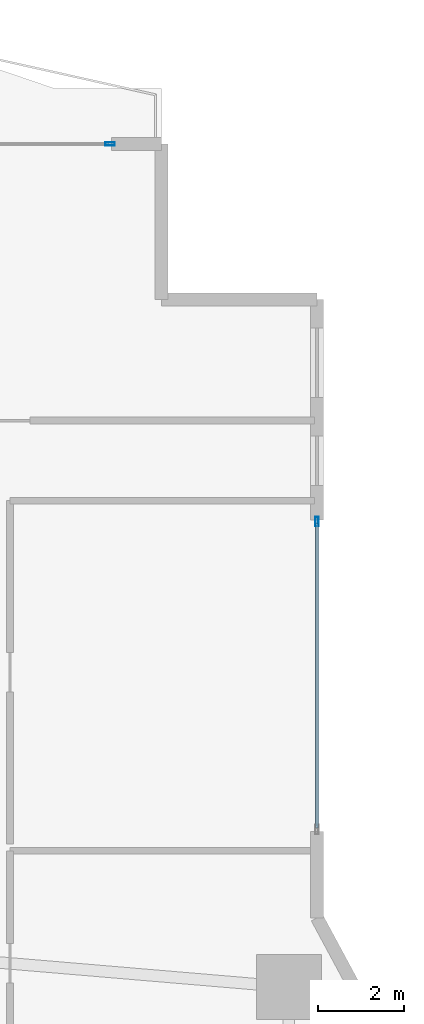
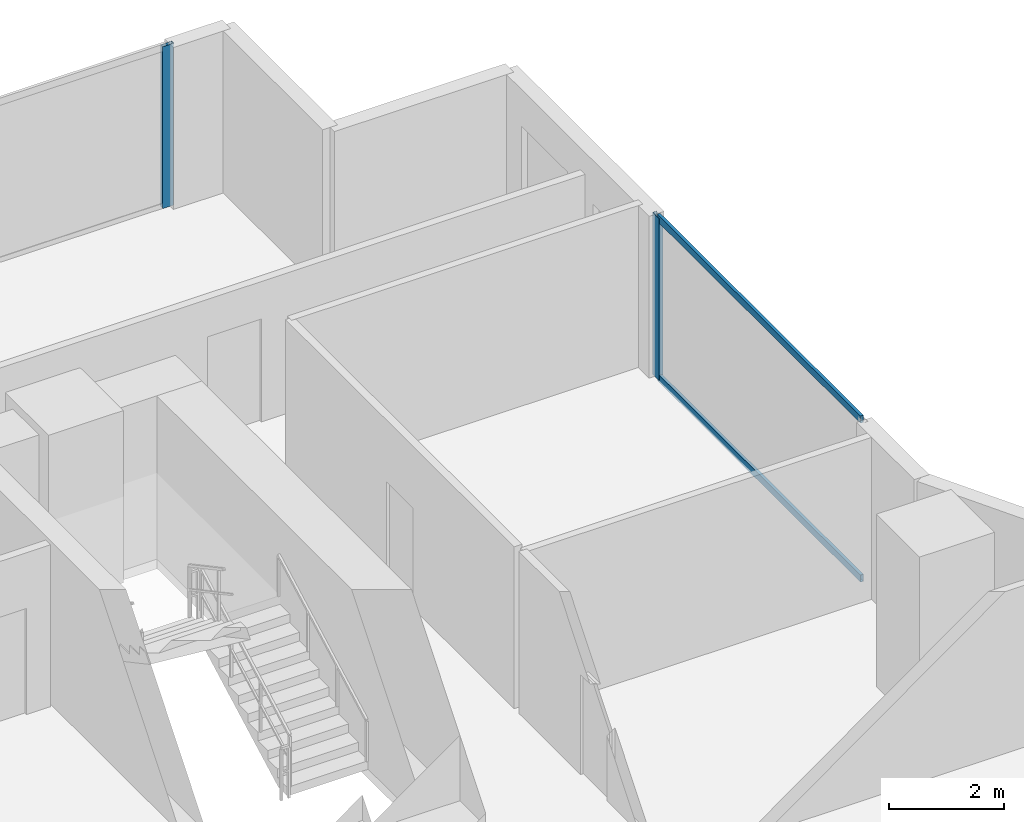
# One storey, part 17 of 28: 4 members, 2 elements without a shape of their own.
"""IFC4 building model written with IfcOpenShell, lengths in metres."""

from ifc_helpers import new_model, si_unit, direction, frame, origin, origin_2d, place, context, subcontext, project, spatial, hollow_rectangle, extrude, material, layer, layer_set, material_profile, profile_set, type_object, element, aggregate, save


model = new_model("IFC4")

# Units and contexts
model_context = context("Model", 3, precision=1e-05, world=origin(), true_north=direction((0.0, 1.0)))
body_context = subcontext(model_context, "Body", "Model", "MODEL_VIEW")
ifc_project = project(units=[si_unit("LENGTHUNIT", "METRE"), si_unit("AREAUNIT", "SQUARE_METRE"), si_unit("VOLUMEUNIT", "CUBIC_METRE"), si_unit("PLANEANGLEUNIT", "RADIAN"), si_unit("MASSUNIT", "GRAM", prefix="KILO")], contexts=[model_context])

# Site, building, storey
site_placement = place(None, origin())
site = spatial("IfcSite", under=ifc_project, at=site_placement, CompositionType="ELEMENT")
building_placement = place(site_placement, origin())
building = spatial("IfcBuilding", under=site, at=building_placement, Name="Zuhayl Quay Hotel", CompositionType="ELEMENT")
storey_placement = place(building_placement, frame((0.0, 0.0, 71.39990234375)))
storey = spatial("IfcBuildingStorey", under=building, at=storey_placement, Name="L17", CompositionType="ELEMENT", Elevation=71.39990234375)

# Curtain wall, member
ifc_material_1 = material(Name="Anodised Aluminium 6063-T6", Category="aluminium")
ifc_layer = layer(ifc_material_1, 0.18994140625, Name="Anodised Aluminium 6063-T6", Category="aluminium")
ifc_layer_set = layer_set([ifc_layer], Name="Anodised Aluminium 6063-T6")
curtain_wall_type = type_object("IfcCurtainWallType", Name="CW_SYS_Z1", PredefinedType="USERDEFINED", material=ifc_layer_set)
curtain_wall_1_placement = place(storey_placement, origin())
curtain_wall_1 = element("IfcCurtainWall", 1, at=curtain_wall_1_placement, inside=storey, type_object=curtain_wall_type, Name="L17 Curtain Wall ENV_L17_N_CW4", ObjectType="UNITISED CURTAIN WALL", PredefinedType="USERDEFINED")
ifc_material_2 = material(Name="Black-anodised aluminium 6063-T6", Category="aluminium")
ifc_material_profile_1 = material_profile(ifc_material_2, hollow_rectangle(XDim=0.074951171875, YDim=0.219970703125, WallThickness=0.00390625, at=origin_2d()), Name="ALU220X75")
ifc_profile_set_1 = profile_set([ifc_material_profile_1], Name="Black-anodised aluminium 6063-T6")
member_type_1 = type_object("IfcMemberType", Name="MB_CW_MUL_220", PredefinedType="MULLION", material=ifc_profile_set_1)
member_1_placement = place(storey_placement, frame((20.91259765625, 23.10009765625, 0.0), z_axis=(0.0, 0.0, 1.0), x_axis=(0.0, 1.0, 0.0)))
member_1 = element("IfcMember", 2, at=member_1_placement, type_object=member_type_1, Name="CW-Z1 mullion 2", PredefinedType="MULLION", context=body_context, shape_type="SweptSolid", body=[
    extrude(hollow_rectangle(XDim=0.074951171875, YDim=0.219970703125, WallThickness=0.00390625, at=origin_2d()), origin(), (0.0, 0.0, 1.0), 3.43017578125),
])
aggregate(curtain_wall_1, [member_1])

# Curtain wall, members
curtain_wall_2_placement = place(storey_placement, origin())
curtain_wall_2 = element("IfcCurtainWall", 3, at=curtain_wall_2_placement, inside=storey, type_object=curtain_wall_type, Name="L17 Curtain Wall ENV_L17_E11_CW1", ObjectType="UNITISED CURTAIN WALL", PredefinedType="USERDEFINED")
member_2_placement = place(storey_placement, frame((25.699951171875, 14.362548828125, 0.0), z_axis=(0.0, 0.0, 1.0), x_axis=(1.0, 0.0, 0.0)))
member_2 = element("IfcMember", 4, at=member_2_placement, type_object=member_type_1, Name="CW-Z1 mullion 1", PredefinedType="MULLION", context=body_context, shape_type="SweptSolid", body=[
    extrude(hollow_rectangle(XDim=0.074951171875, YDim=0.219970703125, WallThickness=0.00390625, at=origin_2d()), origin(), (0.0, 0.0, 1.0), 3.43017578125),
])
ifc_material_profile_2 = material_profile(ifc_material_2, hollow_rectangle(XDim=0.06005859375, YDim=0.14990234375, WallThickness=0.00341796875, at=origin_2d()), Name="ALU150X60")
ifc_profile_set_2 = profile_set([ifc_material_profile_2], Name="Black-anodised aluminium 6063-T6")
member_type_2 = type_object("IfcMemberType", Name="MB_CW_TRN_150", PredefinedType="USERDEFINED", material=ifc_profile_set_2)
member_3_placement = place(storey_placement, frame((25.699951171875, 14.324951171875, 0.030029296875), z_axis=(0.0, -1.0, 0.0), x_axis=(1.0, 0.0, 0.0)))
member_3 = element("IfcMember", 5, at=member_3_placement, type_object=member_type_2, Name="CW-Z1 transom 1.1", ObjectType="TRANSOM", PredefinedType="USERDEFINED", context=body_context, shape_type="SweptSolid", body=[
    extrude(hollow_rectangle(XDim=0.06005859375, YDim=0.14990234375, WallThickness=0.00341796875, at=origin_2d()), origin(), (0.0, 0.0, 1.0), 7.050048828125),
])
member_4_placement = place(storey_placement, frame((25.699951171875, 14.324951171875, 3.400146484375), z_axis=(0.0, -1.0, 0.0), x_axis=(1.0, 0.0, 0.0)))
member_4 = element("IfcMember", 6, at=member_4_placement, type_object=member_type_2, Name="CW-Z1 transom 1.2", ObjectType="TRANSOM", PredefinedType="USERDEFINED", context=body_context, shape_type="SweptSolid", body=[
    extrude(hollow_rectangle(XDim=0.06005859375, YDim=0.14990234375, WallThickness=0.00341796875, at=origin_2d()), origin(), (0.0, 0.0, 1.0), 7.050048828125),
])
aggregate(curtain_wall_2, [member_2, member_3, member_4])

save(model, "model.ifc")
